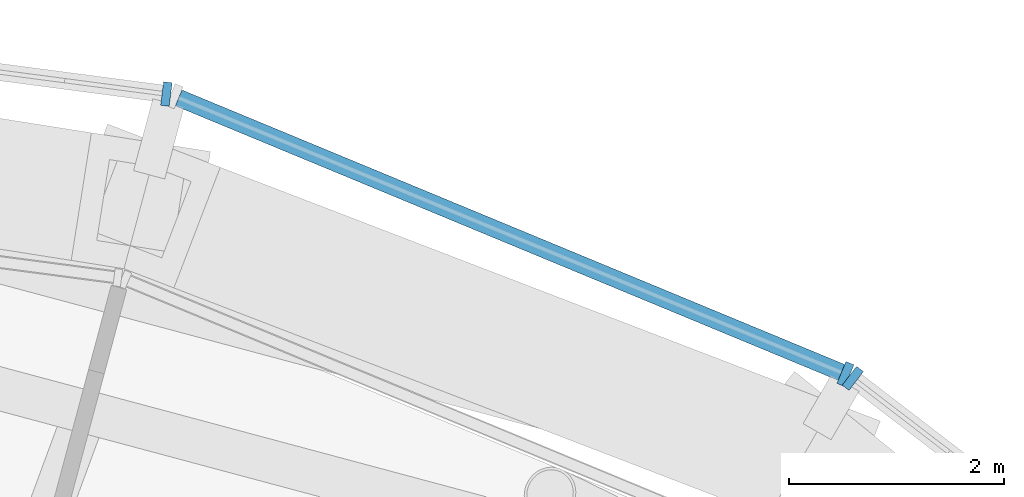
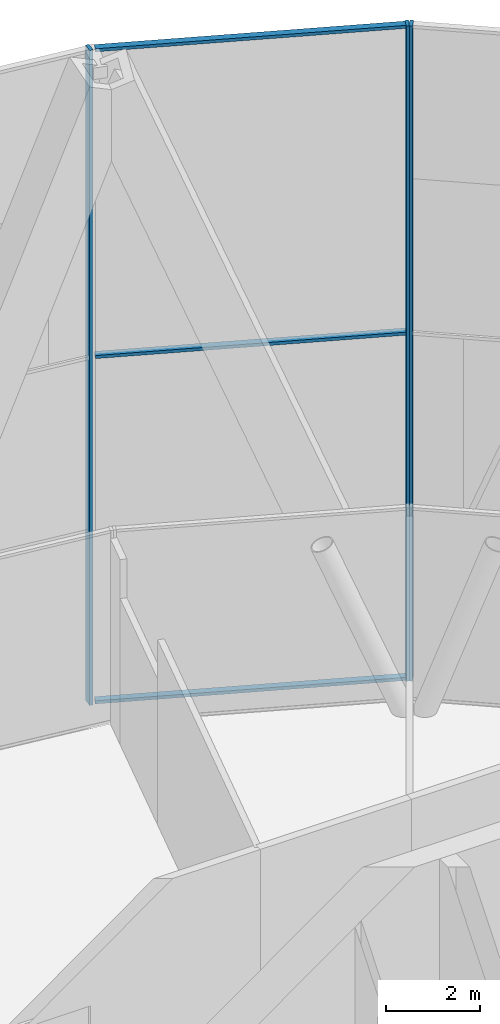
# One storey, part 9 of 17: 6 members, 3 elements without a shape of their own.
"""IFC4 building model written with IfcOpenShell, lengths in metres."""

from ifc_helpers import new_model, si_unit, direction, frame, origin, origin_2d, place, context, subcontext, project, spatial, rectangle, extrude, material, material_profile, profile_set, type_object, element, aggregate, save


model = new_model("IFC4")

# Units and contexts
model_context = context("Model", 3, precision=1e-05, world=origin(), true_north=direction((0.0, 1.0)))
body_context = subcontext(model_context, "Body", "Model", "MODEL_VIEW")
ifc_project = project(units=[si_unit("LENGTHUNIT", "METRE"), si_unit("AREAUNIT", "SQUARE_METRE"), si_unit("VOLUMEUNIT", "CUBIC_METRE"), si_unit("PLANEANGLEUNIT", "RADIAN"), si_unit("MASSUNIT", "GRAM", prefix="KILO")], contexts=[model_context])

# Site, building, storey
site_placement = place(None, origin())
site = spatial("IfcSite", under=ifc_project, at=site_placement, CompositionType="ELEMENT")
building_placement = place(site_placement, origin())
building = spatial("IfcBuilding", under=site, at=building_placement, Name="Golbaran Civic Tower", CompositionType="ELEMENT")
storey_placement = place(building_placement, frame((0.0, 0.0, 150.0)))
storey = spatial("IfcBuildingStorey", under=building, at=storey_placement, Name="L36", CompositionType="ELEMENT", Elevation=150.0)

# Curtain wall, member
ifc_material_1 = material(Name="Aluminium and glass", Category="aluminium")
curtain_wall_type = type_object("IfcCurtainWallType", Name="OUTER SKIN TERRACOTTA SCREEN", PredefinedType="NOTDEFINED", material=ifc_material_1)
curtain_wall_1_placement = place(storey_placement, origin())
curtain_wall_1 = element("IfcCurtainWall", 1, at=curtain_wall_1_placement, inside=storey, type_object=curtain_wall_type, Name="Outer skin L36 facet 4 CW3", ObjectType="OUTER SKIN", PredefinedType="USERDEFINED")
ifc_material_2 = material(Name="Aluminium", Category="aluminium")
ifc_material_profile_1 = material_profile(ifc_material_2, rectangle(XDim=0.219970703125, YDim=0.080078125, at=origin_2d()), Name="OUTER SKIN TERRACOTTA SCREEN MULLION")
ifc_profile_set_1 = profile_set([ifc_material_profile_1], Name="Aluminium")
member_type_1 = type_object("IfcMemberType", Name="OUTER SKIN TERRACOTTA SCREEN MULLION", PredefinedType="MULLION", material=ifc_profile_set_1)
member_1_placement = place(storey_placement, frame((13.0986328125, 22.6083984375, -0.7099609375), z_axis=(0.0, 0.0, 1.0), x_axis=(-0.608761428981, -0.793353340312, 0.0)))
member_1 = element("IfcMember", 2, at=member_1_placement, type_object=member_type_1, Name="CW3 mullion 2", PredefinedType="MULLION", context=body_context, shape_type="SweptSolid", body=[
    extrude(rectangle(XDim=0.219970703125, YDim=0.080078125, at=origin_2d()), origin(), (0.0, 0.0, 1.0), 17.0),
])
aggregate(curtain_wall_1, [member_1])

curtain_wall_2_placement = place(storey_placement, origin())
curtain_wall_2 = element("IfcCurtainWall", 3, at=curtain_wall_2_placement, inside=storey, type_object=curtain_wall_type, Name="Outer skin L36 facet 5 CW3", ObjectType="OUTER SKIN", PredefinedType="USERDEFINED")
member_2_placement = place(storey_placement, frame((13.030029296875, 22.64794921875, -0.7099609375), z_axis=(0.0, 0.0, 1.0), x_axis=(-0.382683432284, -0.923879532545, 0.0)))
member_2 = element("IfcMember", 4, at=member_2_placement, type_object=member_type_1, Name="CW3 mullion 1", PredefinedType="MULLION", context=body_context, shape_type="SweptSolid", body=[
    extrude(rectangle(XDim=0.219970703125, YDim=0.080078125, at=origin_2d()), origin(), (0.0, 0.0, 1.0), 17.0),
])

curtain_wall_3_placement = place(storey_placement, origin())
curtain_wall_3 = element("IfcCurtainWall", 5, at=curtain_wall_3_placement, inside=storey, type_object=curtain_wall_type, Name="Outer skin L36 facet 6 CW3", ObjectType="OUTER SKIN", PredefinedType="USERDEFINED")
member_3_placement = place(storey_placement, frame((6.724365234375, 25.248779296875, -0.7099609375), z_axis=(0.0, 0.0, 1.0), x_axis=(-0.130526192255, -0.991444861369, 0.0)))
member_3 = element("IfcMember", 6, at=member_3_placement, type_object=member_type_1, Name="CW3 mullion 1", PredefinedType="MULLION", context=body_context, shape_type="SweptSolid", body=[
    extrude(rectangle(XDim=0.219970703125, YDim=0.080078125, at=origin_2d()), origin(), (0.0, 0.0, 1.0), 17.0),
])
aggregate(curtain_wall_3, [member_3])

# Member
ifc_material_profile_2 = material_profile(ifc_material_2, rectangle(XDim=0.159912109375, YDim=0.080078125, at=origin_2d()), Name="OUTER SKIN TERRACOTTA SCREEN TRANSOM")
ifc_profile_set_2 = profile_set([ifc_material_profile_2], Name="Aluminium")
member_type_2 = type_object("IfcMemberType", Name="OUTER SKIN TERRACOTTA SCREEN TRANSOM", PredefinedType="USERDEFINED", material=ifc_profile_set_2)
member_4_placement = place(storey_placement, frame((12.9931640625, 22.663330078125, -0.669921875), z_axis=(-0.923881506114, 0.382678667632, 0.0), x_axis=(-0.382678667632, -0.923881506114, 0.0)))
member_4 = element("IfcMember", 7, at=member_4_placement, type_object=member_type_2, Name="CW3 transom 1.1", ObjectType="TRANSOM", PredefinedType="USERDEFINED", context=body_context, shape_type="SweptSolid", body=[
    extrude(rectangle(XDim=0.159912109375, YDim=0.080078125, at=origin_2d()), origin(), (0.0, 0.0, 1.0), 6.662353515625),
])

member_5_placement = place(storey_placement, frame((12.9931640625, 22.663330078125, 8.2900390625), z_axis=(-0.923881506114, 0.382678667632, 0.0), x_axis=(-0.382678667632, -0.923881506114, 0.0)))
member_5 = element("IfcMember", 8, at=member_5_placement, type_object=member_type_2, Name="CW3 transom 1.2", ObjectType="TRANSOM", PredefinedType="USERDEFINED", context=body_context, shape_type="SweptSolid", body=[
    extrude(rectangle(XDim=0.159912109375, YDim=0.080078125, at=origin_2d()), origin(), (0.0, 0.0, 1.0), 6.662353515625),
])

member_6_placement = place(storey_placement, frame((12.9931640625, 22.663330078125, 16.25), z_axis=(-0.923881506114, 0.382678667632, 0.0), x_axis=(-0.382678667632, -0.923881506114, 0.0)))
member_6 = element("IfcMember", 9, at=member_6_placement, type_object=member_type_2, Name="CW3 transom 1.3", ObjectType="TRANSOM", PredefinedType="USERDEFINED", context=body_context, shape_type="SweptSolid", body=[
    extrude(rectangle(XDim=0.159912109375, YDim=0.080078125, at=origin_2d()), origin(), (0.0, 0.0, 1.0), 6.662353515625),
])

aggregate(curtain_wall_2, [member_2, member_4, member_5, member_6])

save(model, "model.ifc")
